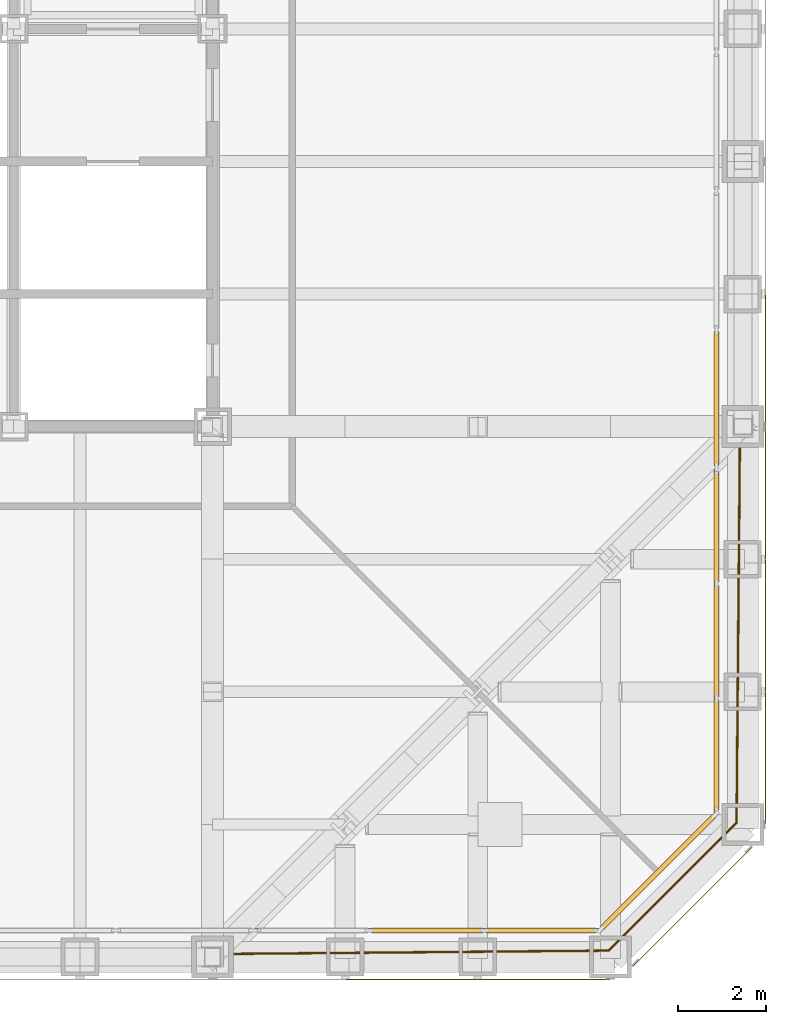
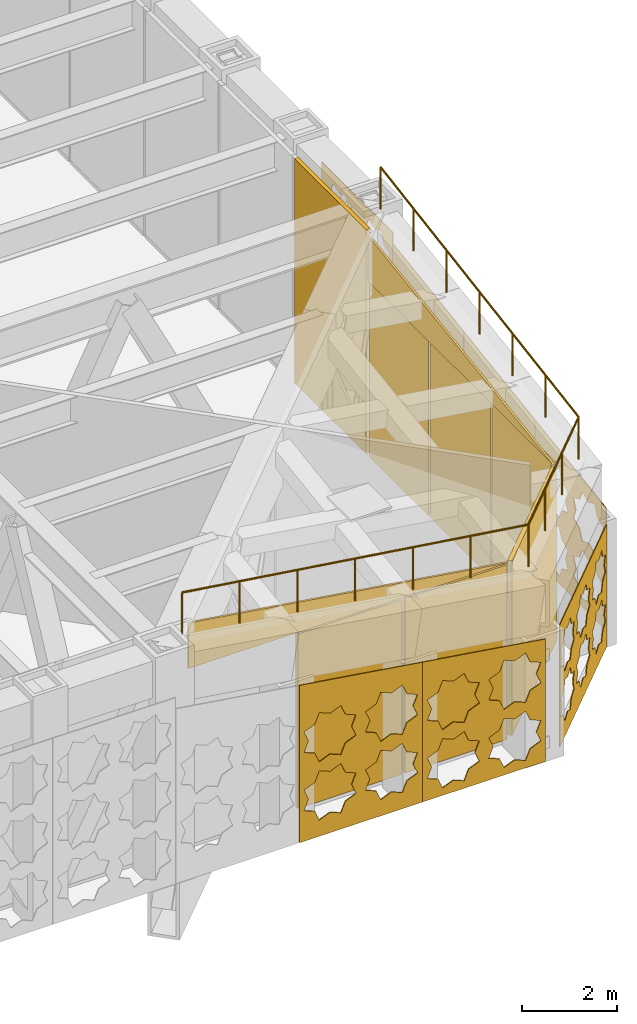
# One storey, part 24 of 28: 9 coverings, 7 shading devices, 1 railing, 4 elements without a shape of their own.
"""IFC4 building model written with IfcOpenShell, lengths in metres."""

from ifc_helpers import new_model, si_unit, direction, frame, origin, origin_2d, place, context, subcontext, project, spatial, polyline, rectangle, circle, outline, extrude, material, layer, layer_set, type_object, element, aggregate, save


model = new_model("IFC4")

# Units and contexts
model_context = context("Model", 3, precision=1e-05, world=origin(), true_north=direction((0.0, 1.0)))
body_context = subcontext(model_context, "Body", "Model", "MODEL_VIEW")
ifc_project = project(units=[si_unit("LENGTHUNIT", "METRE"), si_unit("AREAUNIT", "SQUARE_METRE"), si_unit("VOLUMEUNIT", "CUBIC_METRE"), si_unit("PLANEANGLEUNIT", "RADIAN"), si_unit("MASSUNIT", "GRAM", prefix="KILO")], contexts=[model_context])

# Site, building, storey
site_placement = place(None, origin())
site = spatial("IfcSite", under=ifc_project, at=site_placement, CompositionType="ELEMENT")
building_placement = place(site_placement, origin())
building = spatial("IfcBuilding", under=site, at=building_placement, Name="Chuquiago Exchange Tower", CompositionType="ELEMENT")
storey_placement = place(building_placement, frame((0.0, 0.0, 174.0)))
storey = spatial("IfcBuildingStorey", under=building, at=storey_placement, Name="L38", CompositionType="ELEMENT", Elevation=174.0)

# Curtain wall, shading devices
ifc_material_1 = material(Name="Aluminium curtain wall system", Category="aluminium")
ifc_layer_1 = layer(ifc_material_1, 0.199951171875)
ifc_layer_set_1 = layer_set([ifc_layer_1], Name="CW6 plant floor louvre wall")
curtain_wall_type = type_object("IfcCurtainWallType", Name="CW6 plant floor louvre wall", PredefinedType="NOTDEFINED", material=ifc_layer_set_1)
curtain_wall_1_placement = place(storey_placement, origin())
curtain_wall_1 = element("IfcCurtainWall", 1, at=curtain_wall_1_placement, inside=storey, type_object=curtain_wall_type, Name="CW6 curtain wall L38", PredefinedType="NOTDEFINED")
ifc_material_2 = material(Name="Aluminium louvre", Category="aluminium")
ifc_layer_2 = layer(ifc_material_2, 0.10009765625)
ifc_layer_set_2 = layer_set([ifc_layer_2], Name="CW6-P louvre panel 100")
shading_device_type = type_object("IfcShadingDeviceType", Name="CW6-P louvre panel 100", PredefinedType="USERDEFINED", material=ifc_layer_set_2)
shading_device_1_placement = place(storey_placement, frame((37.8525390625, 0.60009765625, 0.0751953125), z_axis=(0.0, 0.0, 1.0), x_axis=(1.0, 0.0, 0.0)))
shading_device_1 = element("IfcShadingDevice", 2, at=shading_device_1_placement, type_object=shading_device_type, Name="CW6 panel 2.1", ObjectType="LOUVER", PredefinedType="USERDEFINED", context=body_context, shape_type="SweptSolid", body=[
    extrude(rectangle(XDim=2.5244140625, YDim=0.10009765625, at=origin_2d()), origin(), (0.0, 0.0, 1.0), 4.495361328125),
])
shading_device_2_placement = place(storey_placement, frame((40.43310546875, 0.60009765625, 0.0751953125), z_axis=(0.0, 0.0, 1.0), x_axis=(1.0, 0.0, 0.0)))
shading_device_2 = element("IfcShadingDevice", 3, at=shading_device_2_placement, type_object=shading_device_type, Name="CW6 panel 3.1", ObjectType="LOUVER", PredefinedType="USERDEFINED", context=body_context, shape_type="SweptSolid", body=[
    extrude(rectangle(XDim=2.48681640625, YDim=0.10009765625, at=origin_2d()), origin(), (0.0, 0.0, 1.0), 4.495361328125),
])
aggregate(curtain_wall_1, [shading_device_1, shading_device_2])

# Curtain wall, shading device
curtain_wall_2_placement = place(storey_placement, origin())
curtain_wall_2 = element("IfcCurtainWall", 4, at=curtain_wall_2_placement, inside=storey, type_object=curtain_wall_type, Name="CW6 curtain wall L38", PredefinedType="NOTDEFINED")
shading_device_3_placement = place(storey_placement, frame((43.07568359375, 1.92431640625, 0.0751953125), z_axis=(0.0, 0.0, 1.0), x_axis=(0.707106781187, 0.707106781187, 0.0)))
shading_device_3 = element("IfcShadingDevice", 5, at=shading_device_3_placement, type_object=shading_device_type, Name="CW6 panel 1.1", ObjectType="LOUVER", PredefinedType="USERDEFINED", context=body_context, shape_type="SweptSolid", body=[
    extrude(rectangle(XDim=3.595458984375, YDim=0.10009765625, at=origin_2d()), origin(), (0.0, 0.0, 1.0), 4.495361328125),
])
aggregate(curtain_wall_2, [shading_device_3])

# Curtain wall, shading devices
curtain_wall_3_placement = place(storey_placement, origin())
curtain_wall_3 = element("IfcCurtainWall", 6, at=curtain_wall_3_placement, inside=storey, type_object=curtain_wall_type, Name="CW6 curtain wall L38", PredefinedType="NOTDEFINED")
shading_device_4_placement = place(storey_placement, frame((44.39990234375, 4.56689453125, 0.0751953125), z_axis=(0.0, 0.0, 1.0), x_axis=(0.0, 1.0, 0.0)))
shading_device_4 = element("IfcShadingDevice", 7, at=shading_device_4_placement, type_object=shading_device_type, Name="CW6 panel 1.1", ObjectType="LOUVER", PredefinedType="USERDEFINED", context=body_context, shape_type="SweptSolid", body=[
    extrude(rectangle(XDim=2.48681640625, YDim=0.10009765625, at=origin_2d()), origin(), (0.0, 0.0, 1.0), 4.495361328125),
])
shading_device_5_placement = place(storey_placement, frame((44.39990234375, 7.1474609375, 0.0751953125), z_axis=(0.0, 0.0, 1.0), x_axis=(0.0, 1.0, 0.0)))
shading_device_5 = element("IfcShadingDevice", 8, at=shading_device_5_placement, type_object=shading_device_type, Name="CW6 panel 2.1", ObjectType="LOUVER", PredefinedType="USERDEFINED", context=body_context, shape_type="SweptSolid", body=[
    extrude(rectangle(XDim=2.5244140625, YDim=0.10009765625, at=origin_2d()), origin(), (0.0, 0.0, 1.0), 4.495361328125),
])
shading_device_6_placement = place(storey_placement, frame((44.39990234375, 9.72802734375, 0.0751953125), z_axis=(0.0, 0.0, 1.0), x_axis=(0.0, 1.0, 0.0)))
shading_device_6 = element("IfcShadingDevice", 9, at=shading_device_6_placement, type_object=shading_device_type, Name="CW6 panel 3.1", ObjectType="LOUVER", PredefinedType="USERDEFINED", context=body_context, shape_type="SweptSolid", body=[
    extrude(rectangle(XDim=2.48681640625, YDim=0.10009765625, at=origin_2d()), origin(), (0.0, 0.0, 1.0), 4.495361328125),
])
aggregate(curtain_wall_3, [shading_device_4, shading_device_5, shading_device_6])

# Curtain wall, shading device
curtain_wall_4_placement = place(storey_placement, origin())
curtain_wall_4 = element("IfcCurtainWall", 10, at=curtain_wall_4_placement, inside=storey, type_object=curtain_wall_type, Name="CW6 curtain wall L38", PredefinedType="NOTDEFINED")
shading_device_7_placement = place(storey_placement, frame((44.39990234375, 12.6357421875, 0.0751953125), z_axis=(0.0, 0.0, 1.0), x_axis=(0.0, 1.0, 0.0)))
shading_device_7 = element("IfcShadingDevice", 11, at=shading_device_7_placement, type_object=shading_device_type, Name="CW6 panel 1.1", ObjectType="LOUVER", PredefinedType="USERDEFINED", context=body_context, shape_type="SweptSolid", body=[
    extrude(rectangle(XDim=3.028564453125, YDim=0.10009765625, at=origin_2d()), origin(), (0.0, 0.0, 1.0), 5.764892578125),
])
aggregate(curtain_wall_4, [shading_device_7])

# Coverings
ifc_material_3 = material(Name="Pale metal insulated fascia panel", Category="aluminium")
ifc_layer_3 = layer(ifc_material_3, 0.050048828125)
ifc_layer_set_3 = layer_set([ifc_layer_3], Name="FX1 raked fascia panel 50")
covering_type_1 = type_object("IfcCoveringType", Name="FX1 raked fascia panel 50", PredefinedType="CLADDING", material=ifc_layer_set_3)
covering_1_placement = place(storey_placement, frame((33.95361328125, 0.60009765625, 4.5703125), z_axis=(0.0, -1.0, 0.0), x_axis=(1.0, 0.0, 0.0)))
element("IfcCovering", 12, at=covering_1_placement, inside=storey, type_object=covering_type_1, Name="Raked fascia L38 S under the SE facet roof", PredefinedType="CLADDING", context=body_context, shape_type="SweptSolid", body=[
    extrude(outline(polyline([(0.0, 0.0), (7.7978515625, 0.0), (0.0, 1.172119140625), (0.0, 0.0)])), origin(), (0.0, 0.0, -1.0), 0.050048828125),
])
covering_2_placement = place(storey_placement, frame((44.39990234375, 3.24853515625, 4.5703125), z_axis=(1.0, 0.0, 0.0), x_axis=(0.0, 1.0, 0.0)))
element("IfcCovering", 13, at=covering_2_placement, inside=storey, type_object=covering_type_1, Name="Raked fascia L38 E under the SE facet roof", PredefinedType="CLADDING", context=body_context, shape_type="SweptSolid", body=[
    extrude(outline(polyline([(0.0, 0.0), (7.7978515625, 0.0), (7.7978515625, 1.172119140625), (0.0, 0.0)])), origin(), (0.0, 0.0, -1.0), 0.050048828125),
])
ifc_material_4 = material(Name="Anodised aluminium, pale", Category="aluminium")
ifc_layer_4 = layer(ifc_material_4, 0.02001953125)
ifc_layer_set_4 = layer_set([ifc_layer_4], Name="GC1 girih cladding panel 20")
covering_type_2 = type_object("IfcCoveringType", Name="GC1 girih cladding panel 20", PredefinedType="CLADDING", material=ifc_layer_set_4)
covering_3_placement = place(storey_placement, frame((36.0048828125, -0.5, 0.050048828125), z_axis=(0.0, 0.0, 1.0), x_axis=(1.0, 0.0, 0.0)))
element("IfcCovering", 14, at=covering_3_placement, inside=storey, type_object=covering_type_2, Name="Girih cladding panel L38 S 7", PredefinedType="CLADDING", context=body_context, shape_type="SweptSolid", body=[
    extrude(outline(polyline([(0.0, 0.0), (2.989990234375, 0.0), (2.989990234375, 3.598876953125), (0.0, 4.04833984375), (0.0, 0.0)]), holes=[polyline([(1.27392578125, 1.052001953125), (1.3828125, 1.315185546875), (1.11962890625, 1.424072265625), (1.0107421875, 1.687255859375), (0.74755859375, 1.578369140625), (0.484375, 1.687255859375), (0.375244140625, 1.424072265625), (0.112060546875, 1.315185546875), (0.22119140625, 1.052001953125), (0.112060546875, 0.788818359375), (0.375244140625, 0.6796875), (0.484375, 0.41650390625), (0.74755859375, 0.525634765625), (1.0107421875, 0.41650390625), (1.11962890625, 0.6796875), (1.3828125, 0.788818359375), (1.27392578125, 1.052001953125)]), polyline([(2.768798828125, 1.052001953125), (2.8779296875, 1.315185546875), (2.61474609375, 1.424072265625), (2.505615234375, 1.687255859375), (2.242431640625, 1.578369140625), (1.979248046875, 1.687255859375), (1.870361328125, 1.424072265625), (1.607177734375, 1.315185546875), (1.716064453125, 1.052001953125), (1.607177734375, 0.788818359375), (1.870361328125, 0.6796875), (1.979248046875, 0.41650390625), (2.242431640625, 0.525634765625), (2.505615234375, 0.41650390625), (2.61474609375, 0.6796875), (2.8779296875, 0.788818359375), (2.768798828125, 1.052001953125)]), polyline([(1.27392578125, 2.546875), (1.3828125, 2.81005859375), (1.11962890625, 2.919189453125), (1.0107421875, 3.182373046875), (0.74755859375, 3.0732421875), (0.484375, 3.182373046875), (0.375244140625, 2.919189453125), (0.112060546875, 2.81005859375), (0.22119140625, 2.546875), (0.112060546875, 2.28369140625), (0.375244140625, 2.1748046875), (0.484375, 1.91162109375), (0.74755859375, 2.0205078125), (1.0107421875, 1.91162109375), (1.11962890625, 2.1748046875), (1.3828125, 2.28369140625), (1.27392578125, 2.546875)]), polyline([(2.768798828125, 2.546875), (2.8779296875, 2.81005859375), (2.61474609375, 2.919189453125), (2.505615234375, 3.182373046875), (2.242431640625, 3.0732421875), (1.979248046875, 3.182373046875), (1.870361328125, 2.919189453125), (1.607177734375, 2.81005859375), (1.716064453125, 2.546875), (1.607177734375, 2.28369140625), (1.870361328125, 2.1748046875), (1.979248046875, 1.91162109375), (2.242431640625, 2.0205078125), (2.505615234375, 1.91162109375), (2.61474609375, 2.1748046875), (2.8779296875, 2.28369140625), (2.768798828125, 2.546875)])]), frame((0.0, 0.0, 0.0), z_axis=(0.0, -1.0, 0.0), x_axis=(1.0, 0.0, 0.0)), (0.0, 0.0, 1.0), 0.02001953125),
])
covering_4_placement = place(storey_placement, frame((39.0048828125, -0.5, 0.050048828125), z_axis=(0.0, 0.0, 1.0), x_axis=(1.0, 0.0, 0.0)))
element("IfcCovering", 15, at=covering_4_placement, inside=storey, type_object=covering_type_2, Name="Girih cladding panel L38 S 8", PredefinedType="CLADDING", context=body_context, shape_type="SweptSolid", body=[
    extrude(outline(polyline([(0.0, 0.0), (2.989990234375, 0.0), (2.989990234375, 3.14794921875), (0.0, 3.597412109375), (0.0, 0.0)]), holes=[polyline([(1.27392578125, 0.82666015625), (1.3828125, 1.089599609375), (1.11962890625, 1.19873046875), (1.0107421875, 1.4619140625), (0.74755859375, 1.352783203125), (0.484375, 1.4619140625), (0.375244140625, 1.19873046875), (0.112060546875, 1.089599609375), (0.22119140625, 0.82666015625), (0.112060546875, 0.563232421875), (0.375244140625, 0.454345703125), (0.484375, 0.191162109375), (0.74755859375, 0.300048828125), (1.0107421875, 0.191162109375), (1.11962890625, 0.454345703125), (1.3828125, 0.563232421875), (1.27392578125, 0.82666015625)]), polyline([(2.768798828125, 0.82666015625), (2.8779296875, 1.089599609375), (2.61474609375, 1.19873046875), (2.505615234375, 1.4619140625), (2.242431640625, 1.352783203125), (1.979248046875, 1.4619140625), (1.870361328125, 1.19873046875), (1.607177734375, 1.089599609375), (1.716064453125, 0.82666015625), (1.607177734375, 0.563232421875), (1.870361328125, 0.454345703125), (1.979248046875, 0.191162109375), (2.242431640625, 0.300048828125), (2.505615234375, 0.191162109375), (2.61474609375, 0.454345703125), (2.8779296875, 0.563232421875), (2.768798828125, 0.82666015625)]), polyline([(1.27392578125, 2.321533203125), (1.3828125, 2.584716796875), (1.11962890625, 2.693603515625), (1.0107421875, 2.956787109375), (0.74755859375, 2.847900390625), (0.484375, 2.956787109375), (0.375244140625, 2.693603515625), (0.112060546875, 2.584716796875), (0.22119140625, 2.321533203125), (0.112060546875, 2.058349609375), (0.375244140625, 1.949462890625), (0.484375, 1.68603515625), (0.74755859375, 1.795166015625), (1.0107421875, 1.68603515625), (1.11962890625, 1.949462890625), (1.3828125, 2.058349609375), (1.27392578125, 2.321533203125)]), polyline([(2.768798828125, 2.321533203125), (2.8779296875, 2.584716796875), (2.61474609375, 2.693603515625), (2.505615234375, 2.956787109375), (2.242431640625, 2.847900390625), (1.979248046875, 2.956787109375), (1.870361328125, 2.693603515625), (1.607177734375, 2.584716796875), (1.716064453125, 2.321533203125), (1.607177734375, 2.058349609375), (1.870361328125, 1.949462890625), (1.979248046875, 1.68603515625), (2.242431640625, 1.795166015625), (2.505615234375, 1.68603515625), (2.61474609375, 1.949462890625), (2.8779296875, 2.058349609375), (2.768798828125, 2.321533203125)])]), frame((0.0, 0.0, 0.0), z_axis=(0.0, -1.0, 0.0), x_axis=(1.0, 0.0, 0.0)), (0.0, 0.0, 1.0), 0.02001953125),
])
covering_5_placement = place(storey_placement, frame((45.5, 3.0048828125, 0.050048828125), z_axis=(0.0, 0.0, 1.0), x_axis=(0.0, 1.0, 0.0)))
element("IfcCovering", 16, at=covering_5_placement, inside=storey, type_object=covering_type_2, Name="Girih cladding panel L38 E 1", PredefinedType="CLADDING", context=body_context, shape_type="SweptSolid", body=[
    extrude(outline(polyline([(0.0, 0.0), (2.989990234375, 0.0), (2.989990234375, 3.597412109375), (0.0, 3.14794921875), (0.0, 0.0)]), holes=[polyline([(1.27392578125, 0.82666015625), (1.3828125, 1.089599609375), (1.11962890625, 1.19873046875), (1.0107421875, 1.4619140625), (0.74755859375, 1.352783203125), (0.484375, 1.4619140625), (0.375244140625, 1.19873046875), (0.112060546875, 1.089599609375), (0.22119140625, 0.82666015625), (0.112060546875, 0.563232421875), (0.375244140625, 0.454345703125), (0.484375, 0.191162109375), (0.74755859375, 0.300048828125), (1.0107421875, 0.191162109375), (1.11962890625, 0.454345703125), (1.3828125, 0.563232421875), (1.27392578125, 0.82666015625)]), polyline([(2.768798828125, 0.82666015625), (2.8779296875, 1.089599609375), (2.61474609375, 1.19873046875), (2.505615234375, 1.4619140625), (2.242431640625, 1.352783203125), (1.979248046875, 1.4619140625), (1.870361328125, 1.19873046875), (1.607177734375, 1.089599609375), (1.716064453125, 0.82666015625), (1.607177734375, 0.563232421875), (1.870361328125, 0.454345703125), (1.979248046875, 0.191162109375), (2.242431640625, 0.300048828125), (2.505615234375, 0.191162109375), (2.61474609375, 0.454345703125), (2.8779296875, 0.563232421875), (2.768798828125, 0.82666015625)]), polyline([(1.27392578125, 2.321533203125), (1.3828125, 2.584716796875), (1.11962890625, 2.693603515625), (1.0107421875, 2.956787109375), (0.74755859375, 2.847900390625), (0.484375, 2.956787109375), (0.375244140625, 2.693603515625), (0.112060546875, 2.584716796875), (0.22119140625, 2.321533203125), (0.112060546875, 2.058349609375), (0.375244140625, 1.949462890625), (0.484375, 1.68603515625), (0.74755859375, 1.795166015625), (1.0107421875, 1.68603515625), (1.11962890625, 1.949462890625), (1.3828125, 2.058349609375), (1.27392578125, 2.321533203125)]), polyline([(2.768798828125, 2.321533203125), (2.8779296875, 2.584716796875), (2.61474609375, 2.693603515625), (2.505615234375, 2.956787109375), (2.242431640625, 2.847900390625), (1.979248046875, 2.956787109375), (1.870361328125, 2.693603515625), (1.607177734375, 2.584716796875), (1.716064453125, 2.321533203125), (1.607177734375, 2.058349609375), (1.870361328125, 1.949462890625), (1.979248046875, 1.68603515625), (2.242431640625, 1.795166015625), (2.505615234375, 1.68603515625), (2.61474609375, 1.949462890625), (2.8779296875, 2.058349609375), (2.768798828125, 2.321533203125)])]), frame((0.0, 0.0, 0.0), z_axis=(0.0, -1.0, 0.0), x_axis=(1.0, 0.0, 0.0)), (0.0, 0.0, 1.0), 0.02001953125),
])
covering_6_placement = place(storey_placement, frame((45.5, 6.0048828125, 0.050048828125), z_axis=(0.0, 0.0, 1.0), x_axis=(0.0, 1.0, 0.0)))
element("IfcCovering", 17, at=covering_6_placement, inside=storey, type_object=covering_type_2, Name="Girih cladding panel L38 E 2", PredefinedType="CLADDING", context=body_context, shape_type="SweptSolid", body=[
    extrude(outline(polyline([(0.0, 0.0), (2.989990234375, 0.0), (2.989990234375, 4.04833984375), (0.0, 3.598876953125), (0.0, 0.0)]), holes=[polyline([(1.27392578125, 1.052001953125), (1.3828125, 1.315185546875), (1.11962890625, 1.424072265625), (1.0107421875, 1.687255859375), (0.74755859375, 1.578369140625), (0.484375, 1.687255859375), (0.375244140625, 1.424072265625), (0.112060546875, 1.315185546875), (0.22119140625, 1.052001953125), (0.112060546875, 0.788818359375), (0.375244140625, 0.6796875), (0.484375, 0.41650390625), (0.74755859375, 0.525634765625), (1.0107421875, 0.41650390625), (1.11962890625, 0.6796875), (1.3828125, 0.788818359375), (1.27392578125, 1.052001953125)]), polyline([(2.768798828125, 1.052001953125), (2.8779296875, 1.315185546875), (2.61474609375, 1.424072265625), (2.505615234375, 1.687255859375), (2.242431640625, 1.578369140625), (1.979248046875, 1.687255859375), (1.870361328125, 1.424072265625), (1.607177734375, 1.315185546875), (1.716064453125, 1.052001953125), (1.607177734375, 0.788818359375), (1.870361328125, 0.6796875), (1.979248046875, 0.41650390625), (2.242431640625, 0.525634765625), (2.505615234375, 0.41650390625), (2.61474609375, 0.6796875), (2.8779296875, 0.788818359375), (2.768798828125, 1.052001953125)]), polyline([(1.27392578125, 2.546875), (1.3828125, 2.81005859375), (1.11962890625, 2.919189453125), (1.0107421875, 3.182373046875), (0.74755859375, 3.0732421875), (0.484375, 3.182373046875), (0.375244140625, 2.919189453125), (0.112060546875, 2.81005859375), (0.22119140625, 2.546875), (0.112060546875, 2.28369140625), (0.375244140625, 2.1748046875), (0.484375, 1.91162109375), (0.74755859375, 2.0205078125), (1.0107421875, 1.91162109375), (1.11962890625, 2.1748046875), (1.3828125, 2.28369140625), (1.27392578125, 2.546875)]), polyline([(2.768798828125, 2.546875), (2.8779296875, 2.81005859375), (2.61474609375, 2.919189453125), (2.505615234375, 3.182373046875), (2.242431640625, 3.0732421875), (1.979248046875, 3.182373046875), (1.870361328125, 2.919189453125), (1.607177734375, 2.81005859375), (1.716064453125, 2.546875), (1.607177734375, 2.28369140625), (1.870361328125, 2.1748046875), (1.979248046875, 1.91162109375), (2.242431640625, 2.0205078125), (2.505615234375, 1.91162109375), (2.61474609375, 2.1748046875), (2.8779296875, 2.28369140625), (2.768798828125, 2.546875)])]), frame((0.0, 0.0, 0.0), z_axis=(0.0, -1.0, 0.0), x_axis=(1.0, 0.0, 0.0)), (0.0, 0.0, 1.0), 0.02001953125),
])
covering_7_placement = place(storey_placement, frame((45.5, 9.0048828125, 0.050048828125), z_axis=(0.0, 0.0, 1.0), x_axis=(0.0, 1.0, 0.0)))
element("IfcCovering", 18, at=covering_7_placement, inside=storey, type_object=covering_type_2, Name="Girih cladding panel L38 E 3", PredefinedType="CLADDING", context=body_context, shape_type="SweptSolid", body=[
    extrude(outline(polyline([(0.0, 0.0), (2.989990234375, 0.0), (2.989990234375, 4.499267578125), (0.0, 4.0498046875), (0.0, 0.0)]), holes=[polyline([(1.27392578125, 1.27734375), (1.3828125, 1.54052734375), (1.11962890625, 1.649658203125), (1.0107421875, 1.912841796875), (0.74755859375, 1.8037109375), (0.484375, 1.912841796875), (0.375244140625, 1.649658203125), (0.112060546875, 1.54052734375), (0.22119140625, 1.27734375), (0.112060546875, 1.01416015625), (0.375244140625, 0.9052734375), (0.484375, 0.64208984375), (0.74755859375, 0.7509765625), (1.0107421875, 0.64208984375), (1.11962890625, 0.9052734375), (1.3828125, 1.01416015625), (1.27392578125, 1.27734375)]), polyline([(2.768798828125, 1.27734375), (2.8779296875, 1.54052734375), (2.61474609375, 1.649658203125), (2.505615234375, 1.912841796875), (2.242431640625, 1.8037109375), (1.979248046875, 1.912841796875), (1.870361328125, 1.649658203125), (1.607177734375, 1.54052734375), (1.716064453125, 1.27734375), (1.607177734375, 1.01416015625), (1.870361328125, 0.9052734375), (1.979248046875, 0.64208984375), (2.242431640625, 0.7509765625), (2.505615234375, 0.64208984375), (2.61474609375, 0.9052734375), (2.8779296875, 1.01416015625), (2.768798828125, 1.27734375)]), polyline([(1.27392578125, 2.7724609375), (1.3828125, 3.03564453125), (1.11962890625, 3.14453125), (1.0107421875, 3.40771484375), (0.74755859375, 3.298828125), (0.484375, 3.40771484375), (0.375244140625, 3.14453125), (0.112060546875, 3.03564453125), (0.22119140625, 2.7724609375), (0.112060546875, 2.50927734375), (0.375244140625, 2.400146484375), (0.484375, 2.136962890625), (0.74755859375, 2.24609375), (1.0107421875, 2.136962890625), (1.11962890625, 2.400146484375), (1.3828125, 2.50927734375), (1.27392578125, 2.7724609375)]), polyline([(2.768798828125, 2.7724609375), (2.8779296875, 3.03564453125), (2.61474609375, 3.14453125), (2.505615234375, 3.40771484375), (2.242431640625, 3.298828125), (1.979248046875, 3.40771484375), (1.870361328125, 3.14453125), (1.607177734375, 3.03564453125), (1.716064453125, 2.7724609375), (1.607177734375, 2.50927734375), (1.870361328125, 2.400146484375), (1.979248046875, 2.136962890625), (2.242431640625, 2.24609375), (2.505615234375, 2.136962890625), (2.61474609375, 2.400146484375), (2.8779296875, 2.50927734375), (2.768798828125, 2.7724609375)])]), frame((0.0, 0.0, 0.0), z_axis=(0.0, -1.0, 0.0), x_axis=(1.0, 0.0, 0.0)), (0.0, 0.0, 1.0), 0.02001953125),
])
covering_8_placement = place(storey_placement, frame((45.5, 12.0048828125, 0.050048828125), z_axis=(0.0, 0.0, 1.0), x_axis=(0.0, 1.0, 0.0)))
element("IfcCovering", 19, at=covering_8_placement, inside=storey, type_object=covering_type_2, Name="Girih cladding panel L38 E 4", PredefinedType="CLADDING", context=body_context, shape_type="SweptSolid", body=[
    extrude(outline(polyline([(0.0, 0.0), (2.989990234375, 0.0), (2.989990234375, 4.7900390625), (0.0, 4.7900390625), (0.0, 0.0)]), holes=[polyline([(1.27392578125, 0.89990234375), (1.3828125, 1.1630859375), (1.11962890625, 1.272216796875), (1.0107421875, 1.535400390625), (0.74755859375, 1.42626953125), (0.484375, 1.535400390625), (0.375244140625, 1.272216796875), (0.112060546875, 1.1630859375), (0.22119140625, 0.89990234375), (0.112060546875, 0.63671875), (0.375244140625, 0.52783203125), (0.484375, 0.2646484375), (0.74755859375, 0.37353515625), (1.0107421875, 0.2646484375), (1.11962890625, 0.52783203125), (1.3828125, 0.63671875), (1.27392578125, 0.89990234375)]), polyline([(2.768798828125, 0.89990234375), (2.8779296875, 1.1630859375), (2.61474609375, 1.272216796875), (2.505615234375, 1.535400390625), (2.242431640625, 1.42626953125), (1.979248046875, 1.535400390625), (1.870361328125, 1.272216796875), (1.607177734375, 1.1630859375), (1.716064453125, 0.89990234375), (1.607177734375, 0.63671875), (1.870361328125, 0.52783203125), (1.979248046875, 0.2646484375), (2.242431640625, 0.37353515625), (2.505615234375, 0.2646484375), (2.61474609375, 0.52783203125), (2.8779296875, 0.63671875), (2.768798828125, 0.89990234375)]), polyline([(1.27392578125, 2.39501953125), (1.3828125, 2.658203125), (1.11962890625, 2.76708984375), (1.0107421875, 3.0302734375), (0.74755859375, 2.92138671875), (0.484375, 3.0302734375), (0.375244140625, 2.76708984375), (0.112060546875, 2.658203125), (0.22119140625, 2.39501953125), (0.112060546875, 2.1318359375), (0.375244140625, 2.022705078125), (0.484375, 1.759521484375), (0.74755859375, 1.86865234375), (1.0107421875, 1.759521484375), (1.11962890625, 2.022705078125), (1.3828125, 2.1318359375), (1.27392578125, 2.39501953125)]), polyline([(2.768798828125, 2.39501953125), (2.8779296875, 2.658203125), (2.61474609375, 2.76708984375), (2.505615234375, 3.0302734375), (2.242431640625, 2.92138671875), (1.979248046875, 3.0302734375), (1.870361328125, 2.76708984375), (1.607177734375, 2.658203125), (1.716064453125, 2.39501953125), (1.607177734375, 2.1318359375), (1.870361328125, 2.022705078125), (1.979248046875, 1.759521484375), (2.242431640625, 1.86865234375), (2.505615234375, 1.759521484375), (2.61474609375, 2.022705078125), (2.8779296875, 2.1318359375), (2.768798828125, 2.39501953125)]), polyline([(1.27392578125, 3.889892578125), (1.3828125, 4.153076171875), (1.11962890625, 4.26220703125), (1.0107421875, 4.525390625), (0.74755859375, 4.416259765625), (0.484375, 4.525390625), (0.375244140625, 4.26220703125), (0.112060546875, 4.153076171875), (0.22119140625, 3.889892578125), (0.112060546875, 3.626708984375), (0.375244140625, 3.517822265625), (0.484375, 3.254638671875), (0.74755859375, 3.363525390625), (1.0107421875, 3.254638671875), (1.11962890625, 3.517822265625), (1.3828125, 3.626708984375), (1.27392578125, 3.889892578125)]), polyline([(2.768798828125, 3.889892578125), (2.8779296875, 4.153076171875), (2.61474609375, 4.26220703125), (2.505615234375, 4.525390625), (2.242431640625, 4.416259765625), (1.979248046875, 4.525390625), (1.870361328125, 4.26220703125), (1.607177734375, 4.153076171875), (1.716064453125, 3.889892578125), (1.607177734375, 3.626708984375), (1.870361328125, 3.517822265625), (1.979248046875, 3.254638671875), (2.242431640625, 3.363525390625), (2.505615234375, 3.254638671875), (2.61474609375, 3.517822265625), (2.8779296875, 3.626708984375), (2.768798828125, 3.889892578125)])]), frame((0.0, 0.0, 0.0), z_axis=(0.0, -1.0, 0.0), x_axis=(1.0, 0.0, 0.0)), (0.0, 0.0, 1.0), 0.02001953125),
])
ifc_material_5 = material(Name="Anodised aluminium, pale", Category="aluminium")
ifc_layer_5 = layer(ifc_material_5, 0.02001953125)
ifc_layer_set_5 = layer_set([ifc_layer_5], Name="GC6 girih cladding panel 20")
covering_type_3 = type_object("IfcCoveringType", Name="GC6 girih cladding panel 20", PredefinedType="CLADDING", material=ifc_layer_set_5)
covering_9_placement = place(storey_placement, frame((42.5, -0.20703125, 0.050048828125), z_axis=(0.0, 0.0, 1.0), x_axis=(0.707106781187, 0.707106781187, 0.0)))
element("IfcCovering", 20, at=covering_9_placement, inside=storey, type_object=covering_type_3, Name="Girih cladding panel L38 SE 1", PredefinedType="CLADDING", context=body_context, shape_type="SweptSolid", body=[
    extrude(outline(polyline([(0.0, 0.0), (3.828369140625, 0.0), (3.828369140625, 3.147216796875), (0.0, 3.147216796875), (0.0, 0.0)]), holes=[polyline([(1.08740234375, 0.935546875), (1.180419921875, 1.16015625), (0.955810546875, 1.253173828125), (0.86279296875, 1.477783203125), (0.63818359375, 1.384765625), (0.413330078125, 1.477783203125), (0.3203125, 1.253173828125), (0.095703125, 1.16015625), (0.188720703125, 0.935546875), (0.095703125, 0.7109375), (0.3203125, 0.617919921875), (0.413330078125, 0.393310546875), (0.637939453125, 0.486328125), (0.86279296875, 0.393310546875), (0.955810546875, 0.617919921875), (1.180419921875, 0.7109375), (1.08740234375, 0.935546875)]), polyline([(2.36328125, 0.935546875), (2.45654296875, 1.16015625), (2.231689453125, 1.253173828125), (2.138916015625, 1.477783203125), (1.914306640625, 1.384765625), (1.689453125, 1.477783203125), (1.596435546875, 1.253173828125), (1.371826171875, 1.16015625), (1.46484375, 0.935546875), (1.371826171875, 0.7109375), (1.596435546875, 0.617919921875), (1.689453125, 0.393310546875), (1.914306640625, 0.486328125), (2.138916015625, 0.393310546875), (2.231689453125, 0.617919921875), (2.45654296875, 0.7109375), (2.36328125, 0.935546875)]), polyline([(3.639404296875, 0.935546875), (3.732666015625, 1.16015625), (3.5078125, 1.253173828125), (3.414794921875, 1.477783203125), (3.190185546875, 1.384765625), (2.965576171875, 1.477783203125), (2.87255859375, 1.253173828125), (2.64794921875, 1.16015625), (2.740966796875, 0.935546875), (2.64794921875, 0.7109375), (2.87255859375, 0.617919921875), (2.965576171875, 0.393310546875), (3.190185546875, 0.486328125), (3.414794921875, 0.393310546875), (3.5078125, 0.617919921875), (3.732666015625, 0.7109375), (3.639404296875, 0.935546875)]), polyline([(1.08740234375, 2.211669921875), (1.180419921875, 2.436279296875), (0.955810546875, 2.529296875), (0.86279296875, 2.75390625), (0.63818359375, 2.660888671875), (0.413330078125, 2.75390625), (0.3203125, 2.529296875), (0.095703125, 2.436279296875), (0.188720703125, 2.211669921875), (0.095703125, 1.987060546875), (0.3203125, 1.89404296875), (0.413330078125, 1.66943359375), (0.637939453125, 1.762451171875), (0.86279296875, 1.66943359375), (0.955810546875, 1.89404296875), (1.180419921875, 1.987060546875), (1.08740234375, 2.211669921875)]), polyline([(2.36328125, 2.211669921875), (2.45654296875, 2.436279296875), (2.231689453125, 2.529296875), (2.138916015625, 2.75390625), (1.914306640625, 2.660888671875), (1.689453125, 2.75390625), (1.596435546875, 2.529296875), (1.371826171875, 2.436279296875), (1.46484375, 2.211669921875), (1.371826171875, 1.987060546875), (1.596435546875, 1.89404296875), (1.689453125, 1.66943359375), (1.914306640625, 1.762451171875), (2.138916015625, 1.66943359375), (2.231689453125, 1.89404296875), (2.45654296875, 1.987060546875), (2.36328125, 2.211669921875)]), polyline([(3.639404296875, 2.211669921875), (3.732666015625, 2.436279296875), (3.5078125, 2.529296875), (3.414794921875, 2.75390625), (3.190185546875, 2.660888671875), (2.965576171875, 2.75390625), (2.87255859375, 2.529296875), (2.64794921875, 2.436279296875), (2.740966796875, 2.211669921875), (2.64794921875, 1.987060546875), (2.87255859375, 1.89404296875), (2.965576171875, 1.66943359375), (3.190185546875, 1.762451171875), (3.414794921875, 1.66943359375), (3.5078125, 1.89404296875), (3.732666015625, 1.987060546875), (3.639404296875, 2.211669921875)])]), frame((0.0, 0.0, 0.0), z_axis=(0.0, -1.0, 0.0), x_axis=(1.0, 0.0, 0.0)), (0.0, 0.0, 1.0), 0.02001953125),
])

# Railing
ifc_material_6 = material(Name="Galvanised steel guard", Category="steel")
railing_type = type_object("IfcRailingType", Name="GR2 roof guard 1100", PredefinedType="GUARDRAIL", material=ifc_material_6)
railing_placement = place(storey_placement, frame((44.9287109375, 11.514404296875, 5.937744140625)))
element("IfcRailing", 21, at=railing_placement, inside=storey, type_object=railing_type, Name="Facet roof L38 SE guard, maintenance access only", PredefinedType="GUARDRAIL", context=body_context, shape_type="SweptSolid", body=[
    extrude(circle(Radius=0.02392578125, at=origin_2d()), frame((0.0, 0.0, 1.076171875), z_axis=(-0.00860360026, -0.989043676215, -0.147372265376), x_axis=(0.999962166644, -0.008698579207, 0.0)), (0.0, 0.0, 1.0), 8.56982421875),
    extrude(circle(Radius=0.02392578125, at=origin_2d()), frame((-0.07373046875, -8.475830078125, -0.18701171875), z_axis=(-0.707106781187, -0.707106781187, 0.0), x_axis=(0.707106781187, -0.707106781187, 0.0)), (0.0, 0.0, 1.0), 4.092041015625),
    extrude(circle(Radius=0.02392578125, at=origin_2d()), frame((-2.96728515625, -11.369384765625, -0.18701171875), z_axis=(-0.989043676215, -0.00860360026, 0.147372265376), x_axis=(0.008698579207, -0.999962166644, 0.0)), (0.0, 0.0, 1.0), 8.56982421875),
    extrude(circle(Radius=0.02099609375, at=origin_2d()), origin(), (0.0, 0.0, 1.0), 1.052001953125),
    extrude(circle(Radius=0.02099609375, at=origin_2d()), frame((-0.01220703125, -1.41259765625, -0.21044921875)), (0.0, 0.0, 1.0), 1.052001953125),
    extrude(circle(Radius=0.02099609375, at=origin_2d()), frame((-0.024658203125, -2.8251953125, -0.4208984375)), (0.0, 0.0, 1.0), 1.052001953125),
    extrude(circle(Radius=0.02099609375, at=origin_2d()), frame((-0.036865234375, -4.23779296875, -0.63134765625)), (0.0, 0.0, 1.0), 1.052001953125),
    extrude(circle(Radius=0.02099609375, at=origin_2d()), frame((-0.049072265625, -5.650634765625, -0.842041015625)), (0.0, 0.0, 1.0), 1.052001953125),
    extrude(circle(Radius=0.02099609375, at=origin_2d()), frame((-0.0615234375, -7.063232421875, -1.052490234375)), (0.0, 0.0, 1.0), 1.052001953125),
    extrude(circle(Radius=0.02099609375, at=origin_2d()), frame((-0.07373046875, -8.475830078125, -1.262939453125)), (0.0, 0.0, 1.0), 1.052001953125),
    extrude(circle(Radius=0.02099609375, at=origin_2d()), frame((-1.038330078125, -9.4404296875, -1.262939453125)), (0.0, 0.0, 1.0), 1.052001953125),
    extrude(circle(Radius=0.02099609375, at=origin_2d()), frame((-2.002685546875, -10.40478515625, -1.262939453125)), (0.0, 0.0, 1.0), 1.052001953125),
    extrude(circle(Radius=0.02099609375, at=origin_2d()), frame((-2.96728515625, -11.369384765625, -1.262939453125)), (0.0, 0.0, 1.0), 1.052001953125),
    extrude(circle(Radius=0.02099609375, at=origin_2d()), frame((-4.3798828125, -11.381591796875, -1.052490234375)), (0.0, 0.0, 1.0), 1.052001953125),
    extrude(circle(Radius=0.02099609375, at=origin_2d()), frame((-5.79248046875, -11.39404296875, -0.842041015625)), (0.0, 0.0, 1.0), 1.052001953125),
    extrude(circle(Radius=0.02099609375, at=origin_2d()), frame((-7.205078125, -11.40625, -0.63134765625)), (0.0, 0.0, 1.0), 1.052001953125),
    extrude(circle(Radius=0.02099609375, at=origin_2d()), frame((-8.617919921875, -11.41845703125, -0.4208984375)), (0.0, 0.0, 1.0), 1.052001953125),
    extrude(circle(Radius=0.02099609375, at=origin_2d()), frame((-10.030517578125, -11.430908203125, -0.21044921875)), (0.0, 0.0, 1.0), 1.052001953125),
    extrude(circle(Radius=0.02099609375, at=origin_2d()), frame((-11.443115234375, -11.443115234375, 0.0)), (0.0, 0.0, 1.0), 1.052001953125),
])

save(model, "model.ifc")
